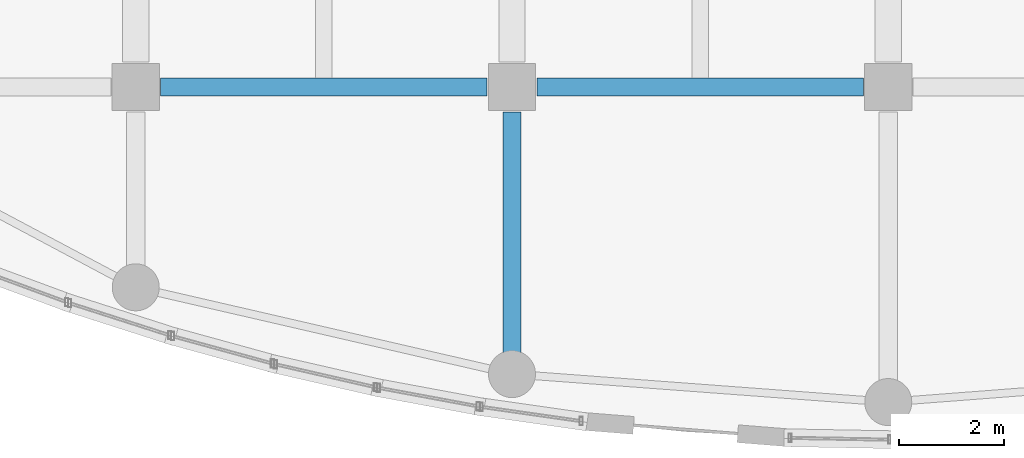
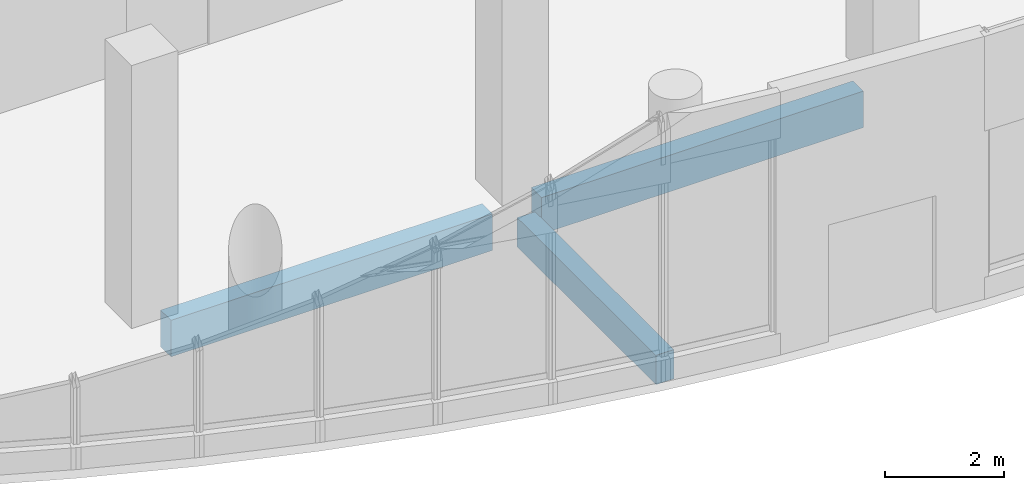
# One storey, part 73 of 192: 3 beams.
"""IFC4 building model written with IfcOpenShell, lengths in metres."""

from ifc_helpers import new_model, si_unit, direction, frame, origin, origin_2d, place, context, subcontext, project, spatial, rectangle, extrude, material, material_profile, profile_set, type_object, element, save


model = new_model("IFC4")

# Units and contexts
model_context = context("Model", 3, precision=1e-05, world=origin(), true_north=direction((0.0, 1.0)))
body_context = subcontext(model_context, "Body", "Model", "MODEL_VIEW")
ifc_project = project(units=[si_unit("LENGTHUNIT", "METRE"), si_unit("AREAUNIT", "SQUARE_METRE"), si_unit("VOLUMEUNIT", "CUBIC_METRE"), si_unit("PLANEANGLEUNIT", "RADIAN"), si_unit("MASSUNIT", "GRAM", prefix="KILO")], contexts=[model_context])

# Site, building, storey
site_placement = place(None, origin())
site = spatial("IfcSite", under=ifc_project, at=site_placement, CompositionType="ELEMENT")
building_placement = place(site_placement, origin())
building = spatial("IfcBuilding", under=site, at=building_placement, Name="Cendralis Lancet Convention Centre", CompositionType="ELEMENT")
storey_placement = place(building_placement, origin())
storey = spatial("IfcBuildingStorey", under=building, at=storey_placement, Name="L00", CompositionType="ELEMENT", Elevation=0.0)

# Beams
ifc_material_1 = material(Name="Concrete G35 (C35/45)", Category="concrete")
ifc_material_profile_1 = material_profile(ifc_material_1, rectangle(XDim=0.35009765625, YDim=0.60009765625, at=origin_2d()), Name="RCB 350x600")
ifc_profile_set_1 = profile_set([ifc_material_profile_1], Name="Concrete G35 (C35/45)")
beam_type_1 = type_object("IfcBeamType", Name="STR-BM-BG16", PredefinedType="BEAM", material=ifc_profile_set_1)
beam_placement = place(storey_placement, frame((146.39990234375, 2.0556640625, -0.6201171875), z_axis=(0.0, 1.0, 0.0), x_axis=(-1.0, 0.0, 0.0)))
element("IfcBeam", 1, at=beam_placement, inside=storey, type_object=beam_type_1, Name="L00 Beam BG16 #1027", PredefinedType="BEAM", context=body_context, shape_type="SweptSolid", body=[
    extrude(rectangle(XDim=0.35009765625, YDim=0.60009765625, at=origin_2d()), origin(), (0.0, 0.0, 1.0), 4.66943359375),
])
ifc_material_2 = material(Name="Concrete G40 (C40/50)", Category="concrete")
ifc_material_profile_2 = material_profile(ifc_material_2, rectangle(XDim=0.35009765625, YDim=0.75, at=origin_2d()), Name="RCB 350x750")
ifc_profile_set_2 = profile_set([ifc_material_profile_2], Name="Concrete G40 (C40/50)")
beam_type_2 = type_object("IfcBeamType", Name="STR-SP-SP01", PredefinedType="SPANDREL", material=ifc_profile_set_2)
for number, where, z_axis, x_axis, name in (
    (2, (139.675048828125, 7.199951171875, -0.695068359375), (1.0, 0.0, 0.0), (0.0, 1.0, 0.0), "L00 Beam SP01 #0002"),
    (3, (146.875, 7.199951171875, -0.695068359375), (1.0, 0.0, 0.0), (0.0, 1.0, 0.0), "L00 Beam SP01 #0003"),
):
    element("IfcBeam", number, at=place(storey_placement, frame(where, z_axis=z_axis, x_axis=x_axis)), inside=storey, type_object=beam_type_2, Name=name, PredefinedType="SPANDREL", context=body_context, shape_type="SweptSolid", body=[
        extrude(rectangle(XDim=0.35009765625, YDim=0.75, at=origin_2d()), origin(), (0.0, 0.0, 1.0), 6.25),
    ])

save(model, "model.ifc")
